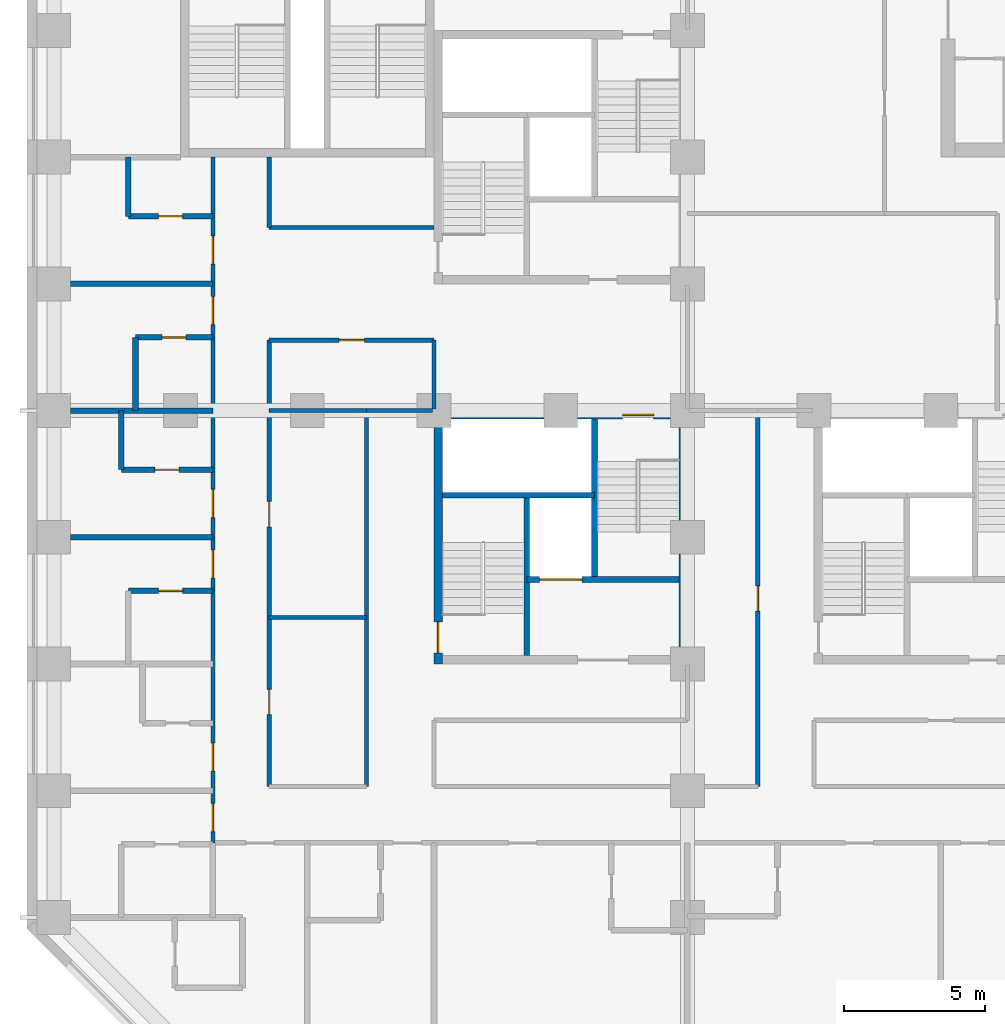
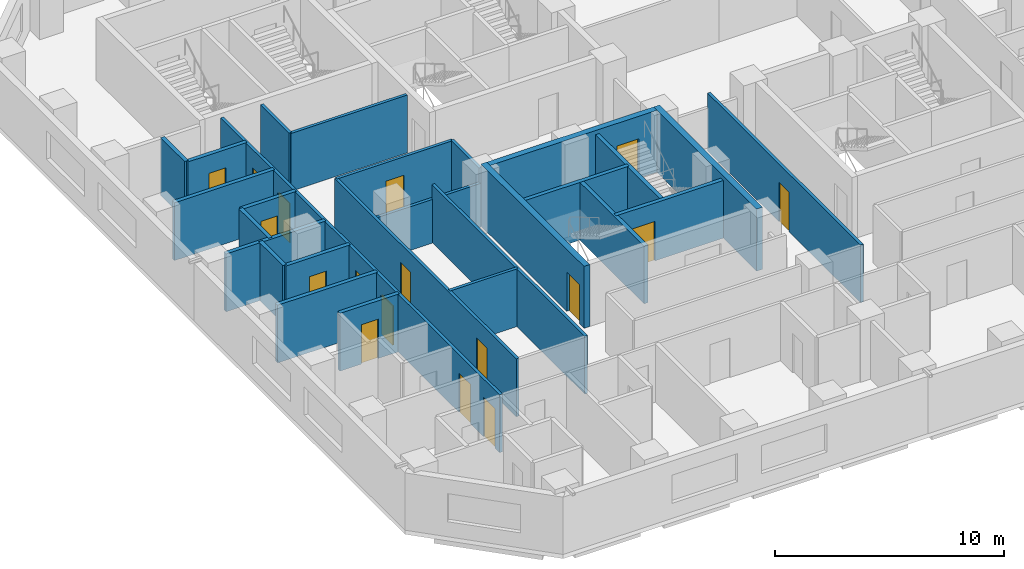
# One storey, part 4 of 13: 28 walls, 17 doors, 17 openings.
"""IFC4 building model written with IfcOpenShell, lengths in metres."""

import ifcopenshell
import ifcopenshell.guid

model = None  # the IFC model being written
_history = None  # IfcOwnerHistory: only IFC2X3 demands one
_inside = {}  # id of a spatial element -> (the spatial element, [elements in it])
_under = {}  # id of a project, library or spatial element -> (it, [spatial elements below it])
_declared = {}  # id of a project -> (the project, [libraries it declares])
_typed = {}  # id of a type object -> (the type object, [elements of that type])
_made_of = {}  # id of a material, layer set ... -> (it, [elements and type objects made of it])


def new_model(schema):
    """Start an empty IFC model of exactly this schema.

    Asked for "IFC4X3", IfcOpenShell would pick the latest addendum, in which some entities
    have other attributes; the version numbers below select the first issue.
    IFC2X3 requires an IfcOwnerHistory on every rooted entity: one is made here for all.
    """
    global model, _history
    if schema == "IFC4X3":
        model = ifcopenshell.file(schema_version=(4, 3, 0, 0))
    else:
        model = ifcopenshell.file(schema=schema)
    _inside.clear()
    _under.clear()
    _declared.clear()
    _typed.clear()
    _made_of.clear()
    _history = None
    if model.schema == "IFC2X3":
        org = make("IfcOrganization", Name="unknown")
        user = make(
            "IfcPersonAndOrganization",
            ThePerson=make("IfcPerson", FamilyName="unknown"),
            TheOrganization=org,
        )
        app = make(
            "IfcApplication",
            ApplicationDeveloper=org,
            Version="unknown",
            ApplicationFullName="unknown",
            ApplicationIdentifier="unknown",
        )
        _history = make(
            "IfcOwnerHistory",
            OwningUser=user,
            OwningApplication=app,
            ChangeAction="ADDED",
            CreationDate=0,
        )
    return model


def make(cls, **values):
    """One entity of the class cls with the attributes given. An attribute that is None is left unset."""
    return model.create_entity(
        cls, **{name: value for name, value in values.items() if value is not None}
    )


def rooted(cls, **values):
    """An entity with a GlobalId (a new one), such as an element, a storey or a relation."""
    return make(cls, GlobalId=ifcopenshell.guid.new(), OwnerHistory=_history, **values)


def si_unit(unit_type, name, prefix=None):
    """IfcSIUnit, for example si_unit("LENGTHUNIT", "METRE", prefix="MILLI")."""
    return make("IfcSIUnit", UnitType=unit_type, Prefix=prefix, Name=name)


def assignment(units):
    """IfcUnitAssignment: the units of a project."""
    return None if units is None else make("IfcUnitAssignment", Units=units)


def point(xyz):
    """IfcCartesianPoint."""
    return None if xyz is None else make("IfcCartesianPoint", Coordinates=xyz)


def direction(xyz):
    """IfcDirection."""
    return None if xyz is None else make("IfcDirection", DirectionRatios=xyz)


def frame(location, z_axis=None, x_axis=None):
    """IfcAxis2Placement3D, a coordinate frame: its origin and axes. An axis left out is left unset."""
    return make(
        "IfcAxis2Placement3D",
        Location=point(location),
        Axis=direction(z_axis),
        RefDirection=direction(x_axis),
    )


def frame_2d(location, x_axis=None):
    """IfcAxis2Placement2D, a coordinate frame in the plane: its origin and x axis."""
    return make(
        "IfcAxis2Placement2D", Location=point(location), RefDirection=direction(x_axis)
    )


def origin():
    """The frame at (0, 0, 0) with its axes left unset."""
    return frame((0.0, 0.0, 0.0))


def place(relative_to, where):
    """IfcLocalPlacement: puts the frame where relative to a parent placement (None: the world)."""
    return make(
        "IfcLocalPlacement", PlacementRelTo=relative_to, RelativePlacement=where
    )


def context(
    kind, dimensions, precision=None, world=None, true_north=None, identifier=None
):
    """IfcGeometricRepresentationContext, for example the 3D "Model" context."""
    return make(
        "IfcGeometricRepresentationContext",
        ContextIdentifier=identifier,
        ContextType=kind,
        CoordinateSpaceDimension=dimensions,
        Precision=precision,
        WorldCoordinateSystem=world,
        TrueNorth=true_north,
    )


def subcontext(parent, identifier, kind, view, scale=None):
    """IfcGeometricRepresentationSubContext, for example "Body" below "Model"."""
    return make(
        "IfcGeometricRepresentationSubContext",
        ContextIdentifier=identifier,
        ContextType=kind,
        ParentContext=parent,
        TargetScale=scale,
        TargetView=view,
    )


def project(units=None, contexts=None):
    """IfcProject with its units and contexts."""
    return rooted(
        "IfcProject",
        Name="project",
        RepresentationContexts=contexts,
        UnitsInContext=assignment(units),
    )


def spatial(cls, under=None, at=None, **own):
    """A site, building, storey or space (cls), placed at a placement, below another one or the project."""
    s = rooted(cls, ObjectPlacement=at, **own)
    if under is not None:
        _under.setdefault(under.id(), (under, []))[1].append(s)
    return s


def profile(cls, at=None, kind="AREA", **sizes):
    """A parametric profile (cls). Its sizes go by their IFC names, for example OverallWidth=200.0."""
    return make(cls, ProfileType=kind, Position=at, **sizes)


def rectangle(**sizes):
    """IfcRectangleProfileDef."""
    return profile("IfcRectangleProfileDef", **sizes)


def extrude(swept, where, along, depth):
    """IfcExtrudedAreaSolid: the profile swept, set in the frame where, extruded along a direction by depth."""
    return make(
        "IfcExtrudedAreaSolid",
        SweptArea=swept,
        Position=where,
        ExtrudedDirection=direction(along),
        Depth=depth,
    )


def shape(context_of_items, identifier, shape_type, items):
    """IfcShapeRepresentation: the items that make up one representation, for example the "Body"."""
    return make(
        "IfcShapeRepresentation",
        ContextOfItems=context_of_items,
        RepresentationIdentifier=identifier,
        RepresentationType=shape_type,
        Items=items,
    )


def material(Name=None, Category=None):
    """IfcMaterial."""
    return make("IfcMaterial", Name=Name, Category=Category)


def layer(
    of_material, thickness, ventilated=None, Name=None, Category=None, Priority=None
):
    """IfcMaterialLayer: one layer of a wall or slab, of a material (None: an air gap)."""
    return make(
        "IfcMaterialLayer",
        Material=of_material,
        LayerThickness=thickness,
        IsVentilated=ventilated,
        Name=Name,
        Category=Category,
        Priority=Priority,
    )


def layer_set(layers, Name=None):
    """IfcMaterialLayerSet."""
    return make("IfcMaterialLayerSet", MaterialLayers=layers, LayerSetName=Name)


def made_of(thing, what):
    """Note that an element or type object is made of a material, layer set ...; save() writes the relation."""
    if what is not None:
        _made_of.setdefault(what.id(), (what, []))[1].append(thing)
    return thing


def type_object(cls, material=None, **own):
    """A type object (cls), such as IfcWallType, which elements share."""
    return made_of(rooted(cls, **own), material)


def element(
    cls,
    number,
    at=None,
    inside=None,
    cuts=None,
    type_object=None,
    material=None,
    context=None,
    identifier="Body",
    shape_type=None,
    held_by="IfcProductDefinitionShape",
    body=None,
    shapes=None,
    **own,
):
    """One element of the class cls, such as IfcWall. Its Tag is "e" and its number.

    at: its placement. inside: the storey or other place that contains it. cuts: it is an
    opening in that element (IfcRelVoidsElement). A single representation is given by context,
    identifier, shape_type and body (its items); several are given by shapes. held_by: the class
    of the entity that holds the representations. save() writes the other relations.
    """
    e = rooted(cls, Tag="e%d" % number, ObjectPlacement=at, **own)
    if body is not None:
        shapes = [shape(context, identifier, shape_type, body)]
    if shapes is not None:
        e.Representation = make(held_by, Representations=shapes)
    if inside is not None:
        _inside.setdefault(inside.id(), (inside, []))[1].append(e)
    if cuts is not None:
        rooted(
            "IfcRelVoidsElement", RelatingBuildingElement=cuts, RelatedOpeningElement=e
        )
    if type_object is not None:
        _typed.setdefault(type_object.id(), (type_object, []))[1].append(e)
    return made_of(e, material)


def fill(opening, filler):
    """IfcRelFillsElement: the door or window that sits in an opening."""
    return rooted(
        "IfcRelFillsElement",
        RelatingOpeningElement=opening,
        RelatedBuildingElement=filler,
    )


def aggregate(whole, parts):
    """IfcRelAggregates: a whole, such as a stair, and the parts it consists of."""
    return rooted("IfcRelAggregates", RelatingObject=whole, RelatedObjects=parts)


def save(model, path):
    """Write the relations noted so far, then the file.

    IfcRelAggregates (storeys below a building ...), IfcRelContainedInSpatialStructure (elements
    in a storey), IfcRelDefinesByType, IfcRelAssociatesMaterial and IfcRelDeclares: one each for
    every whole, place, type object, material and project.
    """
    for whole, parts in _under.values():
        aggregate(whole, parts)
    for where, things in _inside.values():
        rooted(
            "IfcRelContainedInSpatialStructure",
            RelatedElements=things,
            RelatingStructure=where,
        )
    for kind, things in _typed.values():
        rooted("IfcRelDefinesByType", RelatedObjects=things, RelatingType=kind)
    for what, things in _made_of.values():
        rooted("IfcRelAssociatesMaterial", RelatedObjects=things, RelatingMaterial=what)
    for by, libraries in _declared.values():
        rooted("IfcRelDeclares", RelatingContext=by, RelatedDefinitions=libraries)
    model.write(path)


model = new_model("IFC4")

# Units and contexts
model_context = context("Model", 3, precision=1e-05, world=origin(), true_north=direction((0.0, 1.0)))
body_context = subcontext(model_context, "Body", "Model", "MODEL_VIEW")
ifc_project = project(units=[si_unit("LENGTHUNIT", "METRE"), si_unit("AREAUNIT", "SQUARE_METRE"), si_unit("VOLUMEUNIT", "CUBIC_METRE"), si_unit("PLANEANGLEUNIT", "RADIAN"), si_unit("MASSUNIT", "GRAM", prefix="KILO")], contexts=[model_context])

# Site, building, storey
site_placement = place(None, origin())
site = spatial("IfcSite", under=ifc_project, at=site_placement, CompositionType="ELEMENT")
building_placement = place(site_placement, origin())
building = spatial("IfcBuilding", under=site, at=building_placement, Name="Quoin Convention Tower", CompositionType="ELEMENT")
storey_placement = place(building_placement, frame((0.0, 0.0, 36.300048828125)))
storey = spatial("IfcBuildingStorey", under=building, at=storey_placement, Name="L08", CompositionType="ELEMENT", Elevation=36.300048828125)

# Wall, opening, door
ifc_material_1 = material(Name="Concrete C50", Category="concrete")
ifc_layer_1 = layer(ifc_material_1, 0.199951171875)
ifc_layer_set_1 = layer_set([ifc_layer_1], Name="Concrete C50")
wall_type_1 = type_object("IfcWallType", Name="Core shaft wall", PredefinedType="SOLIDWALL", material=ifc_layer_set_1)
wall_1_placement = place(storey_placement, frame((30.300048828125, 34.5, 0.0), z_axis=(0.0, 0.0, 1.0), x_axis=(1.0, 0.0, 0.0)))
wall_1 = element("IfcWall", 1, at=wall_1_placement, inside=storey, type_object=wall_type_1, Name="cr-P4-L08-h3000_3300", PredefinedType="SOLIDWALL", context=body_context, shape_type="SweptSolid", body=[
    extrude(rectangle(XDim=5.39990234375, YDim=0.199951171875, at=frame_2d((2.699951171875, 0.0))), origin(), (0.0, 0.0, 1.0), 3.079833984375),
])
opening_1_placement = place(wall_1_placement, frame((0.449951171875, 0.0, 0.0)))
opening_1 = element("IfcOpeningElement", 2, at=opening_1_placement, cuts=wall_1, Name="Opening LDGL1", PredefinedType="OPENING", context=body_context, shape_type="SweptSolid", body=[
    extrude(rectangle(XDim=1.5, YDim=2.10009765625, at=frame_2d((0.75, 1.050048828125))), frame((0.0, 0.10986328125, 0.0), z_axis=(0.0, -1.0, 0.0), x_axis=(1.0, 0.0, 0.0)), (0.0, 0.0, 1.0), 0.219970703125),
])
ifc_material_2 = material(Name="Steel door leaf", Category="steel")
door_type_1 = type_object("IfcDoorType", Name="Lift landing door 1500 x 2100", OperationType="DOUBLE_DOOR_SLIDING", PredefinedType="DOOR", material=ifc_material_2)
door_1_placement = place(opening_1_placement, origin())
door_1 = element("IfcDoor", 3, at=door_1_placement, inside=storey, type_object=door_type_1, Name="cd-P4-L08-CEN-R2-LDGL1", OperationType="DOUBLE_DOOR_SLIDING", OverallHeight=2.10009765625, OverallWidth=1.5, PredefinedType="DOOR", context=body_context, shape_type="SweptSolid", body=[
    extrude(rectangle(XDim=1.5, YDim=2.10009765625, at=frame_2d((0.75, 1.050048828125))), frame((0.0, 0.02490234375, 0.0), z_axis=(0.0, -1.0, 0.0), x_axis=(1.0, 0.0, 0.0)), (0.0, 0.0, 1.0), 0.050048828125),
])
fill(opening_1, door_1)

# Walls
wall_2_placement = place(storey_placement, frame((27.300048828125, 37.5, 0.0), z_axis=(0.0, 0.0, 1.0), x_axis=(1.0, 0.0, 0.0)))
element("IfcWall", 4, at=wall_2_placement, inside=storey, type_object=wall_type_1, Name="cr-P4-L08-h6000_300", PredefinedType="SOLIDWALL", context=body_context, shape_type="SweptSolid", body=[
    extrude(rectangle(XDim=5.39990234375, YDim=0.199951171875, at=frame_2d((2.699951171875, 0.0))), origin(), (0.0, 0.0, 1.0), 3.079833984375),
])
for number, where, z_axis, x_axis, name in (
    (5, (30.300048828125, 31.800048828125, 0.0), (0.0, 0.0, 1.0), (0.0, 1.0, 0.0), "cr-P4-L08-v3300_300"),
    (6, (32.699951171875, 34.5, 0.0), (0.0, 0.0, 1.0), (0.0, 1.0, 0.0), "cr-P4-L08-v5700_3000"),
):
    element("IfcWall", number, at=place(storey_placement, frame(where, z_axis=z_axis, x_axis=x_axis)), inside=storey, type_object=wall_type_1, Name=name, PredefinedType="SOLIDWALL", context=body_context, shape_type="SweptSolid", body=[
        extrude(rectangle(XDim=5.699951171875, YDim=0.199951171875, at=frame_2d((2.85009765625, 0.0))), origin(), (0.0, 0.0, 1.0), 3.079833984375),
    ])

# Wall, opening, door
ifc_material_3 = material(Name="Concrete C80", Category="concrete")
ifc_layer_2 = layer(ifc_material_3, 0.300048828125)
ifc_layer_set_2 = layer_set([ifc_layer_2], Name="Concrete C80")
wall_type_2 = type_object("IfcWallType", Name="RC CORE WALL 300 C80", PredefinedType="SHEAR", material=ifc_layer_set_2)
wall_3_placement = place(storey_placement, frame((27.300048828125, 40.35009765625, 0.0), z_axis=(0.0, 0.0, 1.0), x_axis=(1.0, 0.0, 0.0)))
wall_3 = element("IfcWall", 7, at=wall_3_placement, inside=storey, type_object=wall_type_2, Name="cwl-P4-L08-N", PredefinedType="SHEAR", context=body_context, shape_type="SweptSolid", body=[
    extrude(rectangle(XDim=8.39990234375, YDim=0.300048828125, at=frame_2d((4.199951171875, 0.0))), origin(), (0.0, 0.0, 1.0), 3.300048828125),
])
opening_2_placement = place(wall_3_placement, frame((6.39990234375, 0.0, 0.0)))
opening_2 = element("IfcOpeningElement", 8, at=opening_2_placement, cuts=wall_3, Name="Opening SD8", PredefinedType="OPENING", context=body_context, shape_type="SweptSolid", body=[
    extrude(rectangle(XDim=1.10009765625, YDim=2.10009765625, at=frame_2d((0.550048828125, 1.050048828125))), frame((0.0, 0.159912109375, 0.0), z_axis=(0.0, -1.0, 0.0), x_axis=(1.0, 0.0, 0.0)), (0.0, 0.0, 1.0), 0.320068359375),
])
door_type_2 = type_object("IfcDoorType", Name="Stair door 1100 x 2100", OperationType="SINGLE_SWING_RIGHT", PredefinedType="DOOR", material=ifc_material_2)
door_2_placement = place(opening_2_placement, frame((1.10009765625, 0.0, 0.0), z_axis=(0.0, 0.0, 1.0), x_axis=(-1.0, 0.0, 0.0)))
door_2 = element("IfcDoor", 9, at=door_2_placement, inside=storey, type_object=door_type_2, Name="cd-P4-L08-SB-N", OperationType="SINGLE_SWING_LEFT", OverallHeight=2.10009765625, OverallWidth=1.10009765625, PredefinedType="DOOR", context=body_context, shape_type="SweptSolid", body=[
    extrude(rectangle(XDim=1.10009765625, YDim=2.10009765625, at=frame_2d((0.550048828125, 1.050048828125))), frame((0.0, 0.02490234375, 0.0), z_axis=(0.0, -1.0, 0.0), x_axis=(1.0, 0.0, 0.0)), (0.0, 0.0, 1.0), 0.050048828125),
])
fill(opening_2, door_2)

wall_4_placement = place(storey_placement, frame((27.14990234375, 31.5, 0.0), z_axis=(0.0, 0.0, 1.0), x_axis=(0.0, 1.0, 0.0)))
wall_4 = element("IfcWall", 10, at=wall_4_placement, inside=storey, type_object=wall_type_2, Name="cwl-P4-L08-W", PredefinedType="SHEAR", context=body_context, shape_type="SweptSolid", body=[
    extrude(rectangle(XDim=9.0, YDim=0.300048828125, at=frame_2d((4.5, 0.0))), origin(), (0.0, 0.0, 1.0), 3.300048828125),
])
opening_3_placement = place(wall_4_placement, frame((0.39990234375, 0.0, 0.0)))
opening_3 = element("IfcOpeningElement", 11, at=opening_3_placement, cuts=wall_4, Name="Opening SD7", PredefinedType="OPENING", context=body_context, shape_type="SweptSolid", body=[
    extrude(rectangle(XDim=1.10009765625, YDim=2.10009765625, at=frame_2d((0.550048828125, 1.050048828125))), frame((0.0, 0.159912109375, 0.0), z_axis=(0.0, -1.0, 0.0), x_axis=(1.0, 0.0, 0.0)), (0.0, 0.0, 1.0), 0.320068359375),
])
door_3_placement = place(opening_3_placement, frame((1.10009765625, 0.0, 0.0), z_axis=(0.0, 0.0, 1.0), x_axis=(-1.0, 0.0, 0.0)))
door_3 = element("IfcDoor", 12, at=door_3_placement, inside=storey, type_object=door_type_2, Name="cd-P4-L08-SA-W", OperationType="SINGLE_SWING_RIGHT", OverallHeight=2.10009765625, OverallWidth=1.10009765625, PredefinedType="DOOR", context=body_context, shape_type="SweptSolid", body=[
    extrude(rectangle(XDim=1.10009765625, YDim=2.10009765625, at=frame_2d((0.550048828125, 1.050048828125))), frame((0.0, 0.02490234375, 0.0), z_axis=(0.0, -1.0, 0.0), x_axis=(1.0, 0.0, 0.0)), (0.0, 0.0, 1.0), 0.050048828125),
])
fill(opening_3, door_3)

# Wall
wall_5_placement = place(storey_placement, frame((35.85009765625, 31.5, 0.0), z_axis=(0.0, 0.0, 1.0), x_axis=(0.0, 1.0, 0.0)))
element("IfcWall", 13, at=wall_5_placement, inside=storey, type_object=wall_type_2, Name="cwl-P4-L08-E", PredefinedType="SHEAR", context=body_context, shape_type="SweptSolid", body=[
    extrude(rectangle(XDim=9.0, YDim=0.300048828125, at=frame_2d((4.5, 0.0))), origin(), (0.0, 0.0, 1.0), 3.300048828125),
])

# Wall, opening, door
ifc_layer_3 = layer(ifc_material_1, 0.199951171875)
ifc_layer_set_3 = layer_set([ifc_layer_3], Name="Concrete C50")
wall_type_3 = type_object("IfcWallType", Name="RC party wall", PredefinedType="SOLIDWALL", material=ifc_layer_set_3)
wall_6_placement = place(storey_placement, frame((16.14990234375, 34.10009765625, 0.0), z_axis=(0.0, 0.0, 1.0), x_axis=(1.0, 0.0, 0.0)))
wall_6 = element("IfcWall", 14, at=wall_6_placement, inside=storey, type_object=wall_type_3, Name="pw-L08-077", PredefinedType="SOLIDWALL", context=body_context, shape_type="SweptSolid", body=[
    extrude(rectangle(XDim=3.0, YDim=0.199951171875, at=frame_2d((1.5, 0.0))), origin(), (0.0, 0.0, 1.0), 3.079833984375),
])
opening_4_placement = place(wall_6_placement, frame((1.074951171875, 0.0, 0.0)))
opening_4 = element("IfcOpeningElement", 15, at=opening_4_placement, cuts=wall_6, Name="Opening DHOTEL-D-53", PredefinedType="OPENING", context=body_context, shape_type="SweptSolid", body=[
    extrude(rectangle(XDim=0.85009765625, YDim=2.10009765625, at=frame_2d((0.425048828125, 1.050048828125))), frame((0.0, 0.10986328125, 0.0), z_axis=(0.0, -1.0, 0.0), x_axis=(1.0, 0.0, 0.0)), (0.0, 0.0, 1.0), 0.219970703125),
])
door_type_3 = type_object("IfcDoorType", Name="Bathroom door", OperationType="SINGLE_SWING_LEFT", PredefinedType="DOOR", material=ifc_material_2)
door_4_placement = place(opening_4_placement, origin())
door_4 = element("IfcDoor", 16, at=door_4_placement, inside=storey, type_object=door_type_3, Name="dr-L08-014", OperationType="SINGLE_SWING_RIGHT", OverallHeight=2.10009765625, OverallWidth=0.85009765625, PredefinedType="DOOR", context=body_context, shape_type="SweptSolid", body=[
    extrude(rectangle(XDim=0.85009765625, YDim=2.10009765625, at=frame_2d((0.425048828125, 1.050048828125))), frame((0.0, 0.02490234375, 0.0), z_axis=(0.0, -1.0, 0.0), x_axis=(1.0, 0.0, 0.0)), (0.0, 0.0, 1.0), 0.050048828125),
])
fill(opening_4, door_4)

# Wall
wall_7_placement = place(storey_placement, frame((14.10009765625, 36.0, 0.0), z_axis=(0.0, 0.0, 1.0), x_axis=(1.0, 0.0, 0.0)))
element("IfcWall", 17, at=wall_7_placement, inside=storey, type_object=wall_type_3, Name="pw-L08-078", PredefinedType="SOLIDWALL", context=body_context, shape_type="SweptSolid", body=[
    extrude(rectangle(XDim=5.0498046875, YDim=0.199951171875, at=frame_2d((2.52490234375, 0.0))), origin(), (0.0, 0.0, 1.0), 3.079833984375),
])

# Wall, opening, door
wall_8_placement = place(storey_placement, frame((15.89990234375, 38.39990234375, 0.0), z_axis=(0.0, 0.0, 1.0), x_axis=(1.0, 0.0, 0.0)))
wall_8 = element("IfcWall", 18, at=wall_8_placement, inside=storey, type_object=wall_type_3, Name="pw-L08-082", PredefinedType="SOLIDWALL", context=body_context, shape_type="SweptSolid", body=[
    extrude(rectangle(XDim=3.25, YDim=0.199951171875, at=frame_2d((1.625, 0.0))), origin(), (0.0, 0.0, 1.0), 3.079833984375),
])
opening_5_placement = place(wall_8_placement, frame((1.199951171875, 0.0, 0.0)))
opening_5 = element("IfcOpeningElement", 19, at=opening_5_placement, cuts=wall_8, Name="Opening DHOTEL-D-55", PredefinedType="OPENING", context=body_context, shape_type="SweptSolid", body=[
    extrude(rectangle(XDim=0.85009765625, YDim=2.10009765625, at=frame_2d((0.425048828125, 1.050048828125))), frame((0.0, 0.10986328125, 0.0), z_axis=(0.0, -1.0, 0.0), x_axis=(1.0, 0.0, 0.0)), (0.0, 0.0, 1.0), 0.219970703125),
])
door_5_placement = place(opening_5_placement, frame((0.85009765625, 0.0, 0.0), z_axis=(0.0, 0.0, 1.0), x_axis=(-1.0, 0.0, 0.0)))
door_5 = element("IfcDoor", 20, at=door_5_placement, inside=storey, type_object=door_type_3, Name="dr-L08-016", OperationType="SINGLE_SWING_LEFT", OverallHeight=2.10009765625, OverallWidth=0.85009765625, PredefinedType="DOOR", context=body_context, shape_type="SweptSolid", body=[
    extrude(rectangle(XDim=0.85009765625, YDim=2.10009765625, at=frame_2d((0.425048828125, 1.050048828125))), frame((0.0, 0.02490234375, 0.0), z_axis=(0.0, -1.0, 0.0), x_axis=(1.0, 0.0, 0.0)), (0.0, 0.0, 1.0), 0.050048828125),
])
fill(opening_5, door_5)

# Walls
wall_9_placement = place(storey_placement, frame((15.89990234375, 38.39990234375, 0.0), z_axis=(0.0, 0.0, 1.0), x_axis=(0.0, 1.0, 0.0)))
element("IfcWall", 21, at=wall_9_placement, inside=storey, type_object=wall_type_3, Name="pw-L08-083", PredefinedType="SOLIDWALL", context=body_context, shape_type="SweptSolid", body=[
    extrude(rectangle(XDim=2.10009765625, YDim=0.199951171875, at=frame_2d((1.050048828125, 0.0))), origin(), (0.0, 0.0, 1.0), 3.079833984375),
])
wall_10_placement = place(storey_placement, frame((14.10009765625, 40.5, 0.0), z_axis=(0.0, 0.0, 1.0), x_axis=(1.0, 0.0, 0.0)))
element("IfcWall", 22, at=wall_10_placement, inside=storey, type_object=wall_type_3, Name="pw-L08-084", PredefinedType="SOLIDWALL", context=body_context, shape_type="SweptSolid", body=[
    extrude(rectangle(XDim=5.0498046875, YDim=0.199951171875, at=frame_2d((2.52490234375, 0.0))), origin(), (0.0, 0.0, 1.0), 3.079833984375),
])
wall_11_placement = place(storey_placement, frame((16.39990234375, 40.5, 0.0), z_axis=(0.0, 0.0, 1.0), x_axis=(0.0, 1.0, 0.0)))
element("IfcWall", 23, at=wall_11_placement, inside=storey, type_object=wall_type_3, Name="pw-L08-085", PredefinedType="SOLIDWALL", context=body_context, shape_type="SweptSolid", body=[
    extrude(rectangle(XDim=2.60009765625, YDim=0.199951171875, at=frame_2d((1.300048828125, 0.0))), origin(), (0.0, 0.0, 1.0), 3.079833984375),
])

# Wall, opening, door
wall_12_placement = place(storey_placement, frame((16.39990234375, 43.10009765625, 0.0), z_axis=(0.0, 0.0, 1.0), x_axis=(1.0, 0.0, 0.0)))
wall_12 = element("IfcWall", 24, at=wall_12_placement, inside=storey, type_object=wall_type_3, Name="pw-L08-091", PredefinedType="SOLIDWALL", context=body_context, shape_type="SweptSolid", body=[
    extrude(rectangle(XDim=2.75, YDim=0.199951171875, at=frame_2d((1.375, 0.0))), origin(), (0.0, 0.0, 1.0), 3.079833984375),
])
opening_6_placement = place(wall_12_placement, frame((0.949951171875, 0.0, 0.0)))
opening_6 = element("IfcOpeningElement", 25, at=opening_6_placement, cuts=wall_12, Name="Opening DHOTEL-D-57", PredefinedType="OPENING", context=body_context, shape_type="SweptSolid", body=[
    extrude(rectangle(XDim=0.85009765625, YDim=2.10009765625, at=frame_2d((0.425048828125, 1.050048828125))), frame((0.0, 0.10986328125, 0.0), z_axis=(0.0, -1.0, 0.0), x_axis=(1.0, 0.0, 0.0)), (0.0, 0.0, 1.0), 0.219970703125),
])
door_6_placement = place(opening_6_placement, origin())
door_6 = element("IfcDoor", 26, at=door_6_placement, inside=storey, type_object=door_type_3, Name="dr-L08-018", OperationType="SINGLE_SWING_RIGHT", OverallHeight=2.10009765625, OverallWidth=0.85009765625, PredefinedType="DOOR", context=body_context, shape_type="SweptSolid", body=[
    extrude(rectangle(XDim=0.85009765625, YDim=2.10009765625, at=frame_2d((0.425048828125, 1.050048828125))), frame((0.0, 0.02490234375, 0.0), z_axis=(0.0, -1.0, 0.0), x_axis=(1.0, 0.0, 0.0)), (0.0, 0.0, 1.0), 0.050048828125),
])
fill(opening_6, door_6)

# Wall
wall_13_placement = place(storey_placement, frame((14.10009765625, 45.0, 0.0), z_axis=(0.0, 0.0, 1.0), x_axis=(1.0, 0.0, 0.0)))
element("IfcWall", 27, at=wall_13_placement, inside=storey, type_object=wall_type_3, Name="pw-L08-096", PredefinedType="SOLIDWALL", context=body_context, shape_type="SweptSolid", body=[
    extrude(rectangle(XDim=5.0498046875, YDim=0.199951171875, at=frame_2d((2.52490234375, 0.0))), origin(), (0.0, 0.0, 1.0), 3.079833984375),
])

# Wall, opening, door
wall_14_placement = place(storey_placement, frame((16.14990234375, 47.39990234375, 0.0), z_axis=(0.0, 0.0, 1.0), x_axis=(1.0, 0.0, 0.0)))
wall_14 = element("IfcWall", 28, at=wall_14_placement, inside=storey, type_object=wall_type_3, Name="pw-L08-100", PredefinedType="SOLIDWALL", context=body_context, shape_type="SweptSolid", body=[
    extrude(rectangle(XDim=3.0, YDim=0.199951171875, at=frame_2d((1.5, 0.0))), origin(), (0.0, 0.0, 1.0), 3.079833984375),
])
opening_7_placement = place(wall_14_placement, frame((1.074951171875, 0.0, 0.0)))
opening_7 = element("IfcOpeningElement", 29, at=opening_7_placement, cuts=wall_14, Name="Opening DHOTEL-D-60", PredefinedType="OPENING", context=body_context, shape_type="SweptSolid", body=[
    extrude(rectangle(XDim=0.85009765625, YDim=2.10009765625, at=frame_2d((0.425048828125, 1.050048828125))), frame((0.0, 0.10986328125, 0.0), z_axis=(0.0, -1.0, 0.0), x_axis=(1.0, 0.0, 0.0)), (0.0, 0.0, 1.0), 0.219970703125),
])
door_7_placement = place(opening_7_placement, frame((0.85009765625, 0.0, 0.0), z_axis=(0.0, 0.0, 1.0), x_axis=(-1.0, 0.0, 0.0)))
door_7 = element("IfcDoor", 30, at=door_7_placement, inside=storey, type_object=door_type_3, Name="dr-L08-020", OperationType="SINGLE_SWING_LEFT", OverallHeight=2.10009765625, OverallWidth=0.85009765625, PredefinedType="DOOR", context=body_context, shape_type="SweptSolid", body=[
    extrude(rectangle(XDim=0.85009765625, YDim=2.10009765625, at=frame_2d((0.425048828125, 1.050048828125))), frame((0.0, 0.02490234375, 0.0), z_axis=(0.0, -1.0, 0.0), x_axis=(1.0, 0.0, 0.0)), (0.0, 0.0, 1.0), 0.050048828125),
])
fill(opening_7, door_7)

# Wall
wall_15_placement = place(storey_placement, frame((16.14990234375, 47.39990234375, 0.0), z_axis=(0.0, 0.0, 1.0), x_axis=(0.0, 1.0, 0.0)))
element("IfcWall", 31, at=wall_15_placement, inside=storey, type_object=wall_type_3, Name="pw-L08-101", PredefinedType="SOLIDWALL", context=body_context, shape_type="SweptSolid", body=[
    extrude(rectangle(XDim=2.10009765625, YDim=0.199951171875, at=frame_2d((1.050048828125, 0.0))), origin(), (0.0, 0.0, 1.0), 3.079833984375),
])

# Wall, openings, doors
ifc_material_4 = material(Name="Plasterboard")
ifc_layer_4 = layer(ifc_material_4, 0.012451171875, Name="Finish")
ifc_material_5 = material(Name="Steel stud framing", Category="steel")
ifc_layer_5 = layer(ifc_material_5, 0.125, Name="Structure")
ifc_layer_6 = layer(ifc_material_4, 0.012451171875, Name="Finish")
ifc_layer_set_4 = layer_set([ifc_layer_4, ifc_layer_5, ifc_layer_6], Name="Steel stud framing")
wall_type_4 = type_object("IfcWallType", Name="corridor partition", PredefinedType="PARTITIONING", material=ifc_layer_set_4)
wall_16_placement = place(storey_placement, frame((19.14990234375, 25.14990234375, 0.0), z_axis=(0.0, 0.0, 1.0), x_axis=(0.0, 1.0, 0.0)))
wall_16 = element("IfcWall", 32, at=wall_16_placement, inside=storey, type_object=wall_type_4, Name="pw-L08-006", PredefinedType="PARTITIONING", context=body_context, shape_type="SweptSolid", body=[
    extrude(rectangle(XDim=24.35009765625, YDim=0.14990234375, at=frame_2d((12.175048828125, 0.0))), origin(), (0.0, 0.0, 1.0), 3.079833984375),
])
opening_8_placement = place(wall_16_placement, frame((0.39990234375, 0.0, 0.0)))
opening_8 = element("IfcOpeningElement", 33, at=opening_8_placement, cuts=wall_16, Name="Opening DHOTEL-D-07", PredefinedType="OPENING", context=body_context, shape_type="SweptSolid", body=[
    extrude(rectangle(XDim=1.0, YDim=2.10009765625, at=frame_2d((0.5, 1.050048828125))), frame((0.0, 0.0849609375, 0.0), z_axis=(0.0, -1.0, 0.0), x_axis=(1.0, 0.0, 0.0)), (0.0, 0.0, 1.0), 0.169921875),
])
opening_9_placement = place(wall_16_placement, frame((2.550048828125, 0.0, 0.0)))
opening_9 = element("IfcOpeningElement", 34, at=opening_9_placement, cuts=wall_16, Name="Opening DHOTEL-D-08", PredefinedType="OPENING", context=body_context, shape_type="SweptSolid", body=[
    extrude(rectangle(XDim=1.0, YDim=2.10009765625, at=frame_2d((0.5, 1.050048828125))), frame((0.0, 0.0849609375, 0.0), z_axis=(0.0, -1.0, 0.0), x_axis=(1.0, 0.0, 0.0)), (0.0, 0.0, 1.0), 0.169921875),
])
opening_10_placement = place(wall_16_placement, frame((9.39990234375, 0.0, 0.0)))
opening_10 = element("IfcOpeningElement", 35, at=opening_10_placement, cuts=wall_16, Name="Opening DHOTEL-D-09", PredefinedType="OPENING", context=body_context, shape_type="SweptSolid", body=[
    extrude(rectangle(XDim=1.0, YDim=2.10009765625, at=frame_2d((0.5, 1.050048828125))), frame((0.0, 0.0849609375, 0.0), z_axis=(0.0, -1.0, 0.0), x_axis=(1.0, 0.0, 0.0)), (0.0, 0.0, 1.0), 0.169921875),
])
opening_11_placement = place(wall_16_placement, frame((11.550048828125, 0.0, 0.0)))
opening_11 = element("IfcOpeningElement", 36, at=opening_11_placement, cuts=wall_16, Name="Opening DHOTEL-D-10", PredefinedType="OPENING", context=body_context, shape_type="SweptSolid", body=[
    extrude(rectangle(XDim=1.0, YDim=2.10009765625, at=frame_2d((0.5, 1.050048828125))), frame((0.0, 0.0849609375, 0.0), z_axis=(0.0, -1.0, 0.0), x_axis=(1.0, 0.0, 0.0)), (0.0, 0.0, 1.0), 0.169921875),
])
opening_12_placement = place(wall_16_placement, frame((18.39990234375, 0.0, 0.0)))
opening_12 = element("IfcOpeningElement", 37, at=opening_12_placement, cuts=wall_16, Name="Opening DHOTEL-D-11", PredefinedType="OPENING", context=body_context, shape_type="SweptSolid", body=[
    extrude(rectangle(XDim=1.0, YDim=2.10009765625, at=frame_2d((0.5, 1.050048828125))), frame((0.0, 0.0849609375, 0.0), z_axis=(0.0, -1.0, 0.0), x_axis=(1.0, 0.0, 0.0)), (0.0, 0.0, 1.0), 0.169921875),
])
opening_13_placement = place(wall_16_placement, frame((20.550048828125, 0.0, 0.0)))
opening_13 = element("IfcOpeningElement", 38, at=opening_13_placement, cuts=wall_16, Name="Opening DHOTEL-D-12", PredefinedType="OPENING", context=body_context, shape_type="SweptSolid", body=[
    extrude(rectangle(XDim=1.0, YDim=2.10009765625, at=frame_2d((0.5, 1.050048828125))), frame((0.0, 0.0849609375, 0.0), z_axis=(0.0, -1.0, 0.0), x_axis=(1.0, 0.0, 0.0)), (0.0, 0.0, 1.0), 0.169921875),
])
door_type_4 = type_object("IfcDoorType", Name="Hotel room door", OperationType="SINGLE_SWING_LEFT", PredefinedType="DOOR", material=ifc_material_2)
door_8_placement = place(opening_8_placement, origin())
door_8 = element("IfcDoor", 39, at=door_8_placement, inside=storey, type_object=door_type_4, Name="dr-L08-009", OperationType="SINGLE_SWING_RIGHT", OverallHeight=2.10009765625, OverallWidth=1.0, PredefinedType="DOOR", context=body_context, shape_type="SweptSolid", body=[
    extrude(rectangle(XDim=1.0, YDim=2.10009765625, at=frame_2d((0.5, 1.050048828125))), frame((0.0, 0.02490234375, 0.0), z_axis=(0.0, -1.0, 0.0), x_axis=(1.0, 0.0, 0.0)), (0.0, 0.0, 1.0), 0.050048828125),
])
fill(opening_8, door_8)
door_9_placement = place(opening_9_placement, origin())
door_9 = element("IfcDoor", 40, at=door_9_placement, inside=storey, type_object=door_type_4, Name="dr-L08-011", OperationType="SINGLE_SWING_RIGHT", OverallHeight=2.10009765625, OverallWidth=1.0, PredefinedType="DOOR", context=body_context, shape_type="SweptSolid", body=[
    extrude(rectangle(XDim=1.0, YDim=2.10009765625, at=frame_2d((0.5, 1.050048828125))), frame((0.0, 0.02490234375, 0.0), z_axis=(0.0, -1.0, 0.0), x_axis=(1.0, 0.0, 0.0)), (0.0, 0.0, 1.0), 0.050048828125),
])
fill(opening_9, door_9)
door_10_placement = place(opening_10_placement, origin())
door_10 = element("IfcDoor", 41, at=door_10_placement, inside=storey, type_object=door_type_4, Name="dr-L08-013", OperationType="SINGLE_SWING_RIGHT", OverallHeight=2.10009765625, OverallWidth=1.0, PredefinedType="DOOR", context=body_context, shape_type="SweptSolid", body=[
    extrude(rectangle(XDim=1.0, YDim=2.10009765625, at=frame_2d((0.5, 1.050048828125))), frame((0.0, 0.02490234375, 0.0), z_axis=(0.0, -1.0, 0.0), x_axis=(1.0, 0.0, 0.0)), (0.0, 0.0, 1.0), 0.050048828125),
])
fill(opening_10, door_10)
door_11_placement = place(opening_11_placement, origin())
door_11 = element("IfcDoor", 42, at=door_11_placement, inside=storey, type_object=door_type_4, Name="dr-L08-015", OperationType="SINGLE_SWING_RIGHT", OverallHeight=2.10009765625, OverallWidth=1.0, PredefinedType="DOOR", context=body_context, shape_type="SweptSolid", body=[
    extrude(rectangle(XDim=1.0, YDim=2.10009765625, at=frame_2d((0.5, 1.050048828125))), frame((0.0, 0.02490234375, 0.0), z_axis=(0.0, -1.0, 0.0), x_axis=(1.0, 0.0, 0.0)), (0.0, 0.0, 1.0), 0.050048828125),
])
fill(opening_11, door_11)
door_12_placement = place(opening_12_placement, origin())
door_12 = element("IfcDoor", 43, at=door_12_placement, inside=storey, type_object=door_type_4, Name="dr-L08-017", OperationType="SINGLE_SWING_RIGHT", OverallHeight=2.10009765625, OverallWidth=1.0, PredefinedType="DOOR", context=body_context, shape_type="SweptSolid", body=[
    extrude(rectangle(XDim=1.0, YDim=2.10009765625, at=frame_2d((0.5, 1.050048828125))), frame((0.0, 0.02490234375, 0.0), z_axis=(0.0, -1.0, 0.0), x_axis=(1.0, 0.0, 0.0)), (0.0, 0.0, 1.0), 0.050048828125),
])
fill(opening_12, door_12)
door_13_placement = place(opening_13_placement, origin())
door_13 = element("IfcDoor", 44, at=door_13_placement, inside=storey, type_object=door_type_4, Name="dr-L08-019", OperationType="SINGLE_SWING_RIGHT", OverallHeight=2.10009765625, OverallWidth=1.0, PredefinedType="DOOR", context=body_context, shape_type="SweptSolid", body=[
    extrude(rectangle(XDim=1.0, YDim=2.10009765625, at=frame_2d((0.5, 1.050048828125))), frame((0.0, 0.02490234375, 0.0), z_axis=(0.0, -1.0, 0.0), x_axis=(1.0, 0.0, 0.0)), (0.0, 0.0, 1.0), 0.050048828125),
])
fill(opening_13, door_13)

wall_17_placement = place(storey_placement, frame((21.14990234375, 27.14990234375, 0.0), z_axis=(0.0, 0.0, 1.0), x_axis=(0.0, 1.0, 0.0)))
wall_17 = element("IfcWall", 45, at=wall_17_placement, inside=storey, type_object=wall_type_4, Name="pw-L08-009", PredefinedType="PARTITIONING", context=body_context, shape_type="SweptSolid", body=[
    extrude(rectangle(XDim=15.85009765625, YDim=0.14990234375, at=frame_2d((7.925048828125, 0.0))), origin(), (0.0, 0.0, 1.0), 3.079833984375),
])
opening_14_placement = place(wall_17_placement, frame((2.550048828125, 0.0, 0.0)))
opening_14 = element("IfcOpeningElement", 46, at=opening_14_placement, cuts=wall_17, Name="Opening DHOTEL-D-18", PredefinedType="OPENING", context=body_context, shape_type="SweptSolid", body=[
    extrude(rectangle(XDim=0.89990234375, YDim=2.10009765625, at=frame_2d((0.449951171875, 1.050048828125))), frame((0.0, 0.0849609375, 0.0), z_axis=(0.0, -1.0, 0.0), x_axis=(1.0, 0.0, 0.0)), (0.0, 0.0, 1.0), 0.169921875),
])
opening_15_placement = place(wall_17_placement, frame((9.22509765625, 0.0, 0.0)))
opening_15 = element("IfcOpeningElement", 47, at=opening_15_placement, cuts=wall_17, Name="Opening DHOTEL-D-19", PredefinedType="OPENING", context=body_context, shape_type="SweptSolid", body=[
    extrude(rectangle(XDim=0.89990234375, YDim=2.10009765625, at=frame_2d((0.449951171875, 1.050048828125))), frame((0.0, 0.0849609375, 0.0), z_axis=(0.0, -1.0, 0.0), x_axis=(1.0, 0.0, 0.0)), (0.0, 0.0, 1.0), 0.169921875),
])
door_type_5 = type_object("IfcDoorType", Name="Service room door", OperationType="SINGLE_SWING_LEFT", PredefinedType="DOOR", material=ifc_material_2)
door_14_placement = place(opening_14_placement, frame((0.89990234375, 0.0, 0.0), z_axis=(0.0, 0.0, 1.0), x_axis=(-1.0, 0.0, 0.0)))
door_14 = element("IfcDoor", 48, at=door_14_placement, inside=storey, type_object=door_type_5, Name="dr-L08-071", OperationType="SINGLE_SWING_LEFT", OverallHeight=2.10009765625, OverallWidth=0.89990234375, PredefinedType="DOOR", context=body_context, shape_type="SweptSolid", body=[
    extrude(rectangle(XDim=0.89990234375, YDim=2.10009765625, at=frame_2d((0.449951171875, 1.050048828125))), frame((0.0, 0.02490234375, 0.0), z_axis=(0.0, -1.0, 0.0), x_axis=(1.0, 0.0, 0.0)), (0.0, 0.0, 1.0), 0.050048828125),
])
fill(opening_14, door_14)
door_15_placement = place(opening_15_placement, frame((0.89990234375, 0.0, 0.0), z_axis=(0.0, 0.0, 1.0), x_axis=(-1.0, 0.0, 0.0)))
door_15 = element("IfcDoor", 49, at=door_15_placement, inside=storey, type_object=door_type_5, Name="dr-L08-072", OperationType="SINGLE_SWING_LEFT", OverallHeight=2.10009765625, OverallWidth=0.89990234375, PredefinedType="DOOR", context=body_context, shape_type="SweptSolid", body=[
    extrude(rectangle(XDim=0.89990234375, YDim=2.10009765625, at=frame_2d((0.449951171875, 1.050048828125))), frame((0.0, 0.02490234375, 0.0), z_axis=(0.0, -1.0, 0.0), x_axis=(1.0, 0.0, 0.0)), (0.0, 0.0, 1.0), 0.050048828125),
])
fill(opening_15, door_15)

# Wall
wall_18_placement = place(storey_placement, frame((24.60009765625, 27.14990234375, 0.0), z_axis=(0.0, 0.0, 1.0), x_axis=(0.0, 1.0, 0.0)))
element("IfcWall", 50, at=wall_18_placement, inside=storey, type_object=wall_type_4, Name="pw-L08-010", PredefinedType="PARTITIONING", context=body_context, shape_type="SweptSolid", body=[
    extrude(rectangle(XDim=13.35009765625, YDim=0.14990234375, at=frame_2d((6.675048828125, 0.0))), origin(), (0.0, 0.0, 1.0), 3.079833984375),
])

# Wall, opening, door
wall_19_placement = place(storey_placement, frame((38.5, 27.14990234375, 0.0), z_axis=(0.0, 0.0, 1.0), x_axis=(0.0, 1.0, 0.0)))
wall_19 = element("IfcWall", 51, at=wall_19_placement, inside=storey, type_object=wall_type_4, Name="pw-L08-013", PredefinedType="PARTITIONING", context=body_context, shape_type="SweptSolid", body=[
    extrude(rectangle(XDim=13.35009765625, YDim=0.14990234375, at=frame_2d((6.675048828125, 0.0))), origin(), (0.0, 0.0, 1.0), 3.079833984375),
])
opening_16_placement = place(wall_19_placement, frame((6.22509765625, 0.0, 0.0)))
opening_16 = element("IfcOpeningElement", 52, at=opening_16_placement, cuts=wall_19, Name="Opening DHOTEL-D-20", PredefinedType="OPENING", context=body_context, shape_type="SweptSolid", body=[
    extrude(rectangle(XDim=0.89990234375, YDim=2.10009765625, at=frame_2d((0.449951171875, 1.050048828125))), frame((0.0, 0.0849609375, 0.0), z_axis=(0.0, -1.0, 0.0), x_axis=(1.0, 0.0, 0.0)), (0.0, 0.0, 1.0), 0.169921875),
])
door_type_6 = type_object("IfcDoorType", Name="Single room door", OperationType="SINGLE_SWING_RIGHT", PredefinedType="DOOR", material=ifc_material_2)
door_16_placement = place(opening_16_placement, origin())
door_16 = element("IfcDoor", 53, at=door_16_placement, inside=storey, type_object=door_type_6, Name="dr-L08-073", OperationType="SINGLE_SWING_RIGHT", OverallHeight=2.10009765625, OverallWidth=0.89990234375, PredefinedType="DOOR", context=body_context, shape_type="SweptSolid", body=[
    extrude(rectangle(XDim=0.89990234375, YDim=2.10009765625, at=frame_2d((0.449951171875, 1.050048828125))), frame((0.0, 0.02490234375, 0.0), z_axis=(0.0, -1.0, 0.0), x_axis=(1.0, 0.0, 0.0)), (0.0, 0.0, 1.0), 0.050048828125),
])
fill(opening_16, door_16)

# Wall
wall_20_placement = place(storey_placement, frame((27.0, 40.550048828125, 0.0), z_axis=(0.0, 0.0, 1.0), x_axis=(0.0, 1.0, 0.0)))
element("IfcWall", 54, at=wall_20_placement, inside=storey, type_object=wall_type_4, Name="pw-L08-022", PredefinedType="PARTITIONING", context=body_context, shape_type="SweptSolid", body=[
    extrude(rectangle(XDim=2.449951171875, YDim=0.14990234375, at=frame_2d((1.22509765625, 0.0))), origin(), (0.0, 0.0, 1.0), 3.079833984375),
])

# Wall, opening, door
wall_21_placement = place(storey_placement, frame((21.14990234375, 43.0, 0.0), z_axis=(0.0, 0.0, 1.0), x_axis=(1.0, 0.0, 0.0)))
wall_21 = element("IfcWall", 55, at=wall_21_placement, inside=storey, type_object=wall_type_4, Name="pw-L08-025", PredefinedType="PARTITIONING", context=body_context, shape_type="SweptSolid", body=[
    extrude(rectangle(XDim=5.85009765625, YDim=0.14990234375, at=frame_2d((2.925048828125, 0.0))), origin(), (0.0, 0.0, 1.0), 3.079833984375),
])
opening_17_placement = place(wall_21_placement, frame((2.47509765625, 0.0, 0.0)))
opening_17 = element("IfcOpeningElement", 56, at=opening_17_placement, cuts=wall_21, Name="Opening DHOTEL-D-23", PredefinedType="OPENING", context=body_context, shape_type="SweptSolid", body=[
    extrude(rectangle(XDim=0.89990234375, YDim=2.10009765625, at=frame_2d((0.449951171875, 1.050048828125))), frame((0.0, 0.0849609375, 0.0), z_axis=(0.0, -1.0, 0.0), x_axis=(1.0, 0.0, 0.0)), (0.0, 0.0, 1.0), 0.169921875),
])
door_type_7 = type_object("IfcDoorType", Name="Toilet door", OperationType="SINGLE_SWING_LEFT", PredefinedType="DOOR", material=ifc_material_2)
door_17_placement = place(opening_17_placement, frame((0.89990234375, 0.0, 0.0), z_axis=(0.0, 0.0, 1.0), x_axis=(-1.0, 0.0, 0.0)))
door_17 = element("IfcDoor", 57, at=door_17_placement, inside=storey, type_object=door_type_7, Name="dr-L08-076", OperationType="SINGLE_SWING_LEFT", OverallHeight=2.10009765625, OverallWidth=0.89990234375, PredefinedType="DOOR", context=body_context, shape_type="SweptSolid", body=[
    extrude(rectangle(XDim=0.89990234375, YDim=2.10009765625, at=frame_2d((0.449951171875, 1.050048828125))), frame((0.0, 0.02490234375, 0.0), z_axis=(0.0, -1.0, 0.0), x_axis=(1.0, 0.0, 0.0)), (0.0, 0.0, 1.0), 0.050048828125),
])
fill(opening_17, door_17)

# Walls
wall_22_placement = place(storey_placement, frame((21.14990234375, 47.0, 0.0), z_axis=(0.0, 0.0, 1.0), x_axis=(1.0, 0.0, 0.0)))
element("IfcWall", 58, at=wall_22_placement, inside=storey, type_object=wall_type_4, Name="pw-L08-026", PredefinedType="PARTITIONING", context=body_context, shape_type="SweptSolid", body=[
    extrude(rectangle(XDim=5.85009765625, YDim=0.14990234375, at=frame_2d((2.925048828125, 0.0))), origin(), (0.0, 0.0, 1.0), 3.079833984375),
])
wall_23_placement = place(storey_placement, frame((21.14990234375, 47.0, 0.0), z_axis=(0.0, 0.0, 1.0), x_axis=(0.0, 1.0, 0.0)))
element("IfcWall", 59, at=wall_23_placement, inside=storey, type_object=wall_type_4, Name="pw-L08-027", PredefinedType="PARTITIONING", context=body_context, shape_type="SweptSolid", body=[
    extrude(rectangle(XDim=2.5, YDim=0.14990234375, at=frame_2d((1.25, 0.0))), origin(), (0.0, 0.0, 1.0), 3.079833984375),
])
ifc_layer_7 = layer(ifc_material_4, 0.012451171875, Name="Finish")
ifc_layer_8 = layer(ifc_material_5, 0.125, Name="Structure")
ifc_layer_9 = layer(ifc_material_4, 0.012451171875, Name="Finish")
ifc_layer_set_5 = layer_set([ifc_layer_7, ifc_layer_8, ifc_layer_9], Name="Steel stud framing")
wall_type_5 = type_object("IfcWallType", Name="corridor partition under beam 750", PredefinedType="PARTITIONING", material=ifc_layer_set_5)
wall_24_placement = place(storey_placement, frame((24.60009765625, 40.5, 0.0), z_axis=(0.0, 0.0, 1.0), x_axis=(1.0, 0.0, 0.0)))
element("IfcWall", 60, at=wall_24_placement, inside=storey, type_object=wall_type_5, Name="pw-L08-020", PredefinedType="PARTITIONING", context=body_context, shape_type="SweptSolid", body=[
    extrude(rectangle(XDim=2.349853515625, YDim=0.14990234375, at=frame_2d((1.1748046875, 0.0))), origin(), (0.0, 0.0, 1.0), 2.329833984375),
])
ifc_layer_10 = layer(ifc_material_4, 0.012451171875, Name="Finish")
ifc_layer_11 = layer(ifc_material_5, 0.125, Name="Structure")
ifc_layer_12 = layer(ifc_material_4, 0.012451171875, Name="Finish")
ifc_layer_set_6 = layer_set([ifc_layer_10, ifc_layer_11, ifc_layer_12], Name="Steel stud framing")
wall_type_6 = type_object("IfcWallType", Name="room partition", PredefinedType="PARTITIONING", material=ifc_layer_set_6)
wall_25_placement = place(storey_placement, frame((21.14990234375, 33.14990234375, 0.0), z_axis=(0.0, 0.0, 1.0), x_axis=(1.0, 0.0, 0.0)))
element("IfcWall", 61, at=wall_25_placement, inside=storey, type_object=wall_type_6, Name="pw-L08-158", PredefinedType="PARTITIONING", context=body_context, shape_type="SweptSolid", body=[
    extrude(rectangle(XDim=3.4501953125, YDim=0.14990234375, at=frame_2d((1.72509765625, 0.0))), origin(), (0.0, 0.0, 1.0), 3.079833984375),
])
ifc_layer_13 = layer(ifc_material_4, 0.012451171875, Name="Finish")
ifc_layer_14 = layer(ifc_material_5, 0.125, Name="Structure")
ifc_layer_15 = layer(ifc_material_4, 0.012451171875, Name="Finish")
ifc_layer_set_7 = layer_set([ifc_layer_13, ifc_layer_14, ifc_layer_15], Name="Steel stud framing")
wall_type_7 = type_object("IfcWallType", Name="room partition under beam 750", PredefinedType="PARTITIONING", material=ifc_layer_set_7)
wall_26_placement = place(storey_placement, frame((21.14990234375, 40.5, 0.0), z_axis=(0.0, 0.0, 1.0), x_axis=(1.0, 0.0, 0.0)))
element("IfcWall", 62, at=wall_26_placement, inside=storey, type_object=wall_type_7, Name="pw-L08-159", PredefinedType="PARTITIONING", context=body_context, shape_type="SweptSolid", body=[
    extrude(rectangle(XDim=3.4501953125, YDim=0.14990234375, at=frame_2d((1.72509765625, 0.0))), origin(), (0.0, 0.0, 1.0), 2.329833984375),
])

save(model, "model.ifc")
